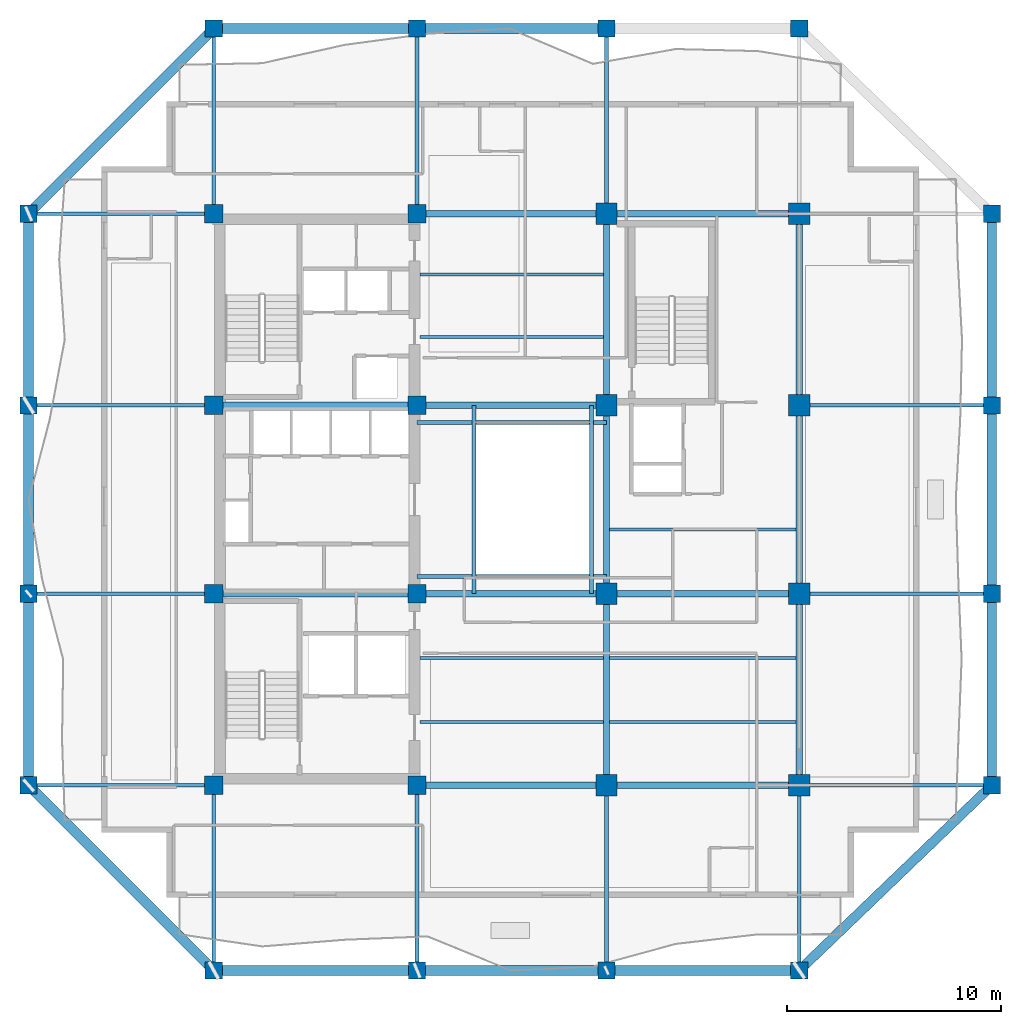
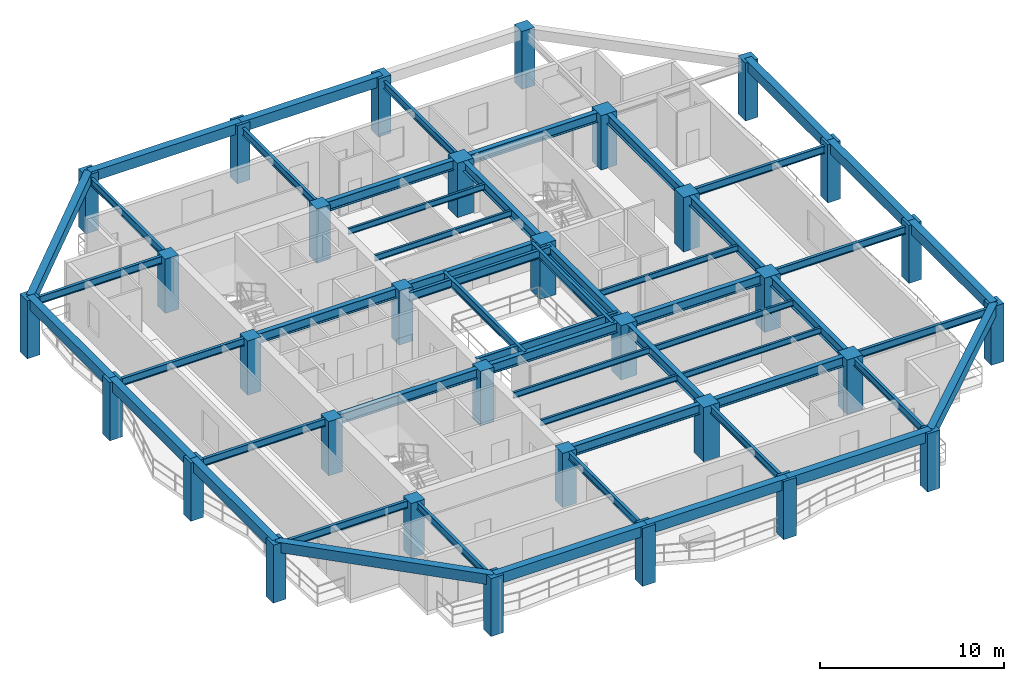
# One storey, part 1 of 10: 54 beams, 32 columns.
"""IFC4 building model written with IfcOpenShell, lengths in metres."""

from ifc_helpers import new_model, si_unit, direction, frame, origin, origin_2d, place, context, subcontext, project, spatial, rectangle, i_section, extrude, material, material_profile, profile_set, type_object, element, save


model = new_model("IFC4")

# Units and contexts
model_context = context("Model", 3, precision=1e-05, world=origin(), true_north=direction((0.0, 1.0)))
body_context = subcontext(model_context, "Body", "Model", "MODEL_VIEW")
ifc_project = project(units=[si_unit("LENGTHUNIT", "METRE"), si_unit("AREAUNIT", "SQUARE_METRE"), si_unit("VOLUMEUNIT", "CUBIC_METRE"), si_unit("PLANEANGLEUNIT", "RADIAN"), si_unit("MASSUNIT", "GRAM", prefix="KILO")], contexts=[model_context])

# Site, building, storey
site_placement = place(None, origin())
site = spatial("IfcSite", under=ifc_project, at=site_placement, CompositionType="ELEMENT")
building_placement = place(site_placement, origin())
building = spatial("IfcBuilding", under=site, at=building_placement, Name="Kundavana Baori Tower", CompositionType="ELEMENT")
storey_placement = place(building_placement, frame((0.0, 0.0, 107.85009765625)))
storey = spatial("IfcBuildingStorey", under=building, at=storey_placement, Name="L25", CompositionType="ELEMENT", Elevation=107.85009765625)

# Columns
ifc_material_1 = material(Name="Concrete C50/60", Category="concrete")
ifc_material_profile_1 = material_profile(ifc_material_1, rectangle(XDim=0.800048828125, YDim=0.800048828125, at=origin_2d()), Name="RC PF 800x800")
ifc_profile_set_1 = profile_set([ifc_material_profile_1], Name="Concrete C50/60")
column_type_1 = type_object("IfcColumnType", Name="COL-PF-800", PredefinedType="COLUMN", material=ifc_profile_set_1)
for number, where, z_axis, x_axis, name in (
    (1, (15.449951171875, 6.60009765625, 0.0), (0.0, 0.0, 1.0), (1.0, 0.0, 0.0), "L25 Stone-Clad Perimeter Frame Column PF-S1"),
    (2, (15.449951171875, 50.60009765625, 0.0), (0.0, 0.0, 1.0), (1.0, 0.0, 0.0), "L25 Stone-Clad Perimeter Frame Column PF-N1"),
    (3, (24.949951171875, 6.60009765625, 0.0), (0.0, 0.0, 1.0), (1.0, 0.0, 0.0), "L25 Stone-Clad Perimeter Frame Column PF-S2"),
    (4, (24.949951171875, 50.60009765625, 0.0), (0.0, 0.0, 1.0), (1.0, 0.0, 0.0), "L25 Stone-Clad Perimeter Frame Column PF-N2"),
    (5, (33.800048828125, 6.60009765625, 0.0), (0.0, 0.0, 1.0), (1.0, 0.0, 0.0), "L25 Stone-Clad Perimeter Frame Column PF-S3"),
    (6, (33.800048828125, 50.60009765625, 0.0), (0.0, 0.0, 1.0), (1.0, 0.0, 0.0), "L25 Stone-Clad Perimeter Frame Column PF-N3"),
    (7, (42.800048828125, 6.60009765625, 0.0), (0.0, 0.0, 1.0), (1.0, 0.0, 0.0), "L25 Stone-Clad Perimeter Frame Column PF-S4"),
    (8, (42.800048828125, 50.60009765625, 0.0), (0.0, 0.0, 1.0), (1.0, 0.0, 0.0), "L25 Stone-Clad Perimeter Frame Column PF-N4"),
    (9, (6.800048828125, 15.25, 0.0), (0.0, 0.0, 1.0), (1.0, 0.0, 0.0), "L25 Stone-Clad Perimeter Frame Column PF-W1"),
    (10, (51.800048828125, 15.25, 0.0), (0.0, 0.0, 1.0), (1.0, 0.0, 0.0), "L25 Stone-Clad Perimeter Frame Column PF-E1"),
    (11, (6.800048828125, 24.199951171875, 0.0), (0.0, 0.0, 1.0), (1.0, 0.0, 0.0), "L25 Stone-Clad Perimeter Frame Column PF-W2"),
    (12, (51.800048828125, 24.199951171875, 0.0), (0.0, 0.0, 1.0), (1.0, 0.0, 0.0), "L25 Stone-Clad Perimeter Frame Column PF-E2"),
    (13, (6.800048828125, 33.0, 0.0), (0.0, 0.0, 1.0), (1.0, 0.0, 0.0), "L25 Stone-Clad Perimeter Frame Column PF-W3"),
    (14, (51.800048828125, 33.0, 0.0), (0.0, 0.0, 1.0), (1.0, 0.0, 0.0), "L25 Stone-Clad Perimeter Frame Column PF-E3"),
    (15, (6.800048828125, 41.949951171875, 0.0), (0.0, 0.0, 1.0), (1.0, 0.0, 0.0), "L25 Stone-Clad Perimeter Frame Column PF-W4"),
    (16, (51.800048828125, 41.949951171875, 0.0), (0.0, 0.0, 1.0), (1.0, 0.0, 0.0), "L25 Stone-Clad Perimeter Frame Column PF-E4"),
):
    element("IfcColumn", number, at=place(storey_placement, frame(where, z_axis=z_axis, x_axis=x_axis)), inside=storey, type_object=column_type_1, Name=name, PredefinedType="COLUMN", context=body_context, shape_type="SweptSolid", body=[
        extrude(rectangle(XDim=0.800048828125, YDim=0.800048828125, at=origin_2d()), origin(), (0.0, 0.0, 1.0), 3.849853515625),
    ])
ifc_material_2 = material(Name="Concrete C50/60", Category="concrete")
ifc_material_profile_2 = material_profile(ifc_material_2, rectangle(XDim=1.0, YDim=1.0, at=origin_2d()), Name="RC 1000x1000")
ifc_profile_set_2 = profile_set([ifc_material_profile_2], Name="Concrete C50/60")
column_type_2 = type_object("IfcColumnType", Name="COL-RC-1000", PredefinedType="COLUMN", material=ifc_profile_set_2)
for number, where, z_axis, x_axis, name in (
    (17, (33.800048828125, 15.25, 0.0), (0.0, 0.0, 1.0), (1.0, 0.0, 0.0), "L25 Interior Column IC-5C"),
    (18, (33.800048828125, 24.199951171875, 0.0), (0.0, 0.0, 1.0), (1.0, 0.0, 0.0), "L25 Interior Column IC-5D"),
    (19, (33.800048828125, 33.0, 0.0), (0.0, 0.0, 1.0), (1.0, 0.0, 0.0), "L25 Interior Column IC-5E"),
    (20, (33.800048828125, 41.949951171875, 0.0), (0.0, 0.0, 1.0), (1.0, 0.0, 0.0), "L25 Interior Column IC-5F"),
    (21, (42.800048828125, 15.25, 0.0), (0.0, 0.0, 1.0), (1.0, 0.0, 0.0), "L25 Interior Column IC-6C"),
    (22, (42.800048828125, 24.199951171875, 0.0), (0.0, 0.0, 1.0), (1.0, 0.0, 0.0), "L25 Interior Column IC-6D"),
    (23, (42.800048828125, 33.0, 0.0), (0.0, 0.0, 1.0), (1.0, 0.0, 0.0), "L25 Interior Column IC-6E"),
    (24, (42.800048828125, 41.949951171875, 0.0), (0.0, 0.0, 1.0), (1.0, 0.0, 0.0), "L25 Interior Column IC-6F"),
):
    element("IfcColumn", number, at=place(storey_placement, frame(where, z_axis=z_axis, x_axis=x_axis)), inside=storey, type_object=column_type_2, Name=name, PredefinedType="COLUMN", context=body_context, shape_type="SweptSolid", body=[
        extrude(rectangle(XDim=1.0, YDim=1.0, at=origin_2d()), origin(), (0.0, 0.0, 1.0), 3.599853515625),
    ])
ifc_material_3 = material(Name="Concrete C50/60", Category="concrete")
ifc_material_profile_3 = material_profile(ifc_material_3, rectangle(XDim=0.85009765625, YDim=0.85009765625, at=origin_2d()), Name="RC 850x850")
ifc_profile_set_3 = profile_set([ifc_material_profile_3], Name="Concrete C50/60")
column_type_3 = type_object("IfcColumnType", Name="COL-RC-850", PredefinedType="COLUMN", material=ifc_profile_set_3)
for number, where, z_axis, x_axis, name in (
    (25, (15.449951171875, 15.25, 0.0), (0.0, 0.0, 1.0), (1.0, 0.0, 0.0), "L25 Interior Column IC-3C"),
    (26, (15.449951171875, 24.199951171875, 0.0), (0.0, 0.0, 1.0), (1.0, 0.0, 0.0), "L25 Interior Column IC-3D"),
    (27, (15.449951171875, 33.0, 0.0), (0.0, 0.0, 1.0), (1.0, 0.0, 0.0), "L25 Interior Column IC-3E"),
    (28, (15.449951171875, 41.949951171875, 0.0), (0.0, 0.0, 1.0), (1.0, 0.0, 0.0), "L25 Interior Column IC-3F"),
    (29, (24.949951171875, 15.25, 0.0), (0.0, 0.0, 1.0), (1.0, 0.0, 0.0), "L25 Interior Column IC-4C"),
    (30, (24.949951171875, 24.199951171875, 0.0), (0.0, 0.0, 1.0), (1.0, 0.0, 0.0), "L25 Interior Column IC-4D"),
    (31, (24.949951171875, 33.0, 0.0), (0.0, 0.0, 1.0), (1.0, 0.0, 0.0), "L25 Interior Column IC-4E"),
    (32, (24.949951171875, 41.949951171875, 0.0), (0.0, 0.0, 1.0), (1.0, 0.0, 0.0), "L25 Interior Column IC-4F"),
):
    element("IfcColumn", number, at=place(storey_placement, frame(where, z_axis=z_axis, x_axis=x_axis)), inside=storey, type_object=column_type_3, Name=name, PredefinedType="COLUMN", context=body_context, shape_type="SweptSolid", body=[
        extrude(rectangle(XDim=0.85009765625, YDim=0.85009765625, at=origin_2d()), origin(), (0.0, 0.0, 1.0), 3.599853515625),
    ])

# Beams
ifc_material_4 = material(Name="Structural Steel S355JR", Category="steel")
ifc_material_profile_4 = material_profile(ifc_material_4, i_section(OverallWidth=0.139892578125, OverallDepth=0.39990234375, WebThickness=0.0087890625, FlangeThickness=0.01611328125, FilletRadius=0.013916015625, at=origin_2d()), Name="ISMB 400")
ifc_profile_set_4 = profile_set([ifc_material_profile_4], Name="Structural Steel S355JR")
beam_type_1 = type_object("IfcBeamType", Name="BM-JST-400", PredefinedType="JOIST", material=ifc_profile_set_4)
for number, where, z_axis, x_axis, name in (
    (33, (25.080078125, 18.199951171875, 3.39990234375), (1.0, 0.0, 0.0), (0.0, 1.0, 0.0), "L25 Central Bay Composite Floor Joist C1"),
    (34, (25.080078125, 21.199951171875, 3.39990234375), (1.0, 0.0, 0.0), (0.0, 1.0, 0.0), "L25 Central Bay Composite Floor Joist C2"),
    (35, (25.080078125, 36.199951171875, 3.39990234375), (1.0, 0.0, 0.0), (0.0, 1.0, 0.0), "L25 Central Bay Composite Floor Joist C3"),
    (36, (25.080078125, 39.10009765625, 3.39990234375), (1.0, 0.0, 0.0), (0.0, 1.0, 0.0), "L25 Central Bay Composite Floor Joist C4"),
):
    element("IfcBeam", number, at=place(storey_placement, frame(where, z_axis=z_axis, x_axis=x_axis)), inside=storey, type_object=beam_type_1, Name=name, PredefinedType="JOIST", context=body_context, shape_type="SweptSolid", body=[
        extrude(i_section(OverallWidth=0.139892578125, OverallDepth=0.39990234375, WebThickness=0.0087890625, FlangeThickness=0.01611328125, FilletRadius=0.013916015625, at=origin_2d()), origin(), (0.0, 0.0, 1.0), 8.56982421875),
    ])
for number, where, z_axis, x_axis, name in (
    (37, (33.949951171875, 18.199951171875, 3.39990234375), (1.0, 0.0, 0.0), (0.0, 1.0, 0.0), "L25 East Bay Composite Floor Joist E1"),
    (38, (33.949951171875, 21.199951171875, 3.39990234375), (1.0, 0.0, 0.0), (0.0, 1.0, 0.0), "L25 East Bay Composite Floor Joist E2"),
    (39, (33.949951171875, 27.199951171875, 3.39990234375), (1.0, 0.0, 0.0), (0.0, 1.0, 0.0), "L25 East Bay Composite Floor Joist E3"),
):
    element("IfcBeam", number, at=place(storey_placement, frame(where, z_axis=z_axis, x_axis=x_axis)), inside=storey, type_object=beam_type_1, Name=name, PredefinedType="JOIST", context=body_context, shape_type="SweptSolid", body=[
        extrude(i_section(OverallWidth=0.139892578125, OverallDepth=0.39990234375, WebThickness=0.0087890625, FlangeThickness=0.01611328125, FilletRadius=0.013916015625, at=origin_2d()), origin(), (0.0, 0.0, 1.0), 8.699951171875),
    ])
ifc_material_5 = material(Name="Concrete C50/60", Category="concrete")
ifc_material_profile_5 = material_profile(ifc_material_5, rectangle(XDim=0.449951171875, YDim=0.679931640625, at=origin_2d()), Name="RC BM 450x680")
ifc_profile_set_5 = profile_set([ifc_material_profile_5], Name="Concrete C50/60")
beam_type_2 = type_object("IfcBeamType", Name="BM-PF-680", PredefinedType="SPANDREL", material=ifc_profile_set_5)
beam_1_placement = place(storey_placement, frame((15.449951171875, 6.60009765625, 3.510009765625), z_axis=(1.0, 0.0, 0.0), x_axis=(0.0, 1.0, 0.0)))
element("IfcBeam", 40, at=beam_1_placement, inside=storey, type_object=beam_type_2, Name="L25 Perimeter Frame Ring Beam S1", PredefinedType="SPANDREL", context=body_context, shape_type="SweptSolid", body=[
    extrude(rectangle(XDim=0.449951171875, YDim=0.679931640625, at=origin_2d()), origin(), (0.0, 0.0, 1.0), 9.5),
])
beam_2_placement = place(storey_placement, frame((24.949951171875, 6.60009765625, 3.510009765625), z_axis=(1.0, 0.0, 0.0), x_axis=(0.0, 1.0, 0.0)))
element("IfcBeam", 41, at=beam_2_placement, inside=storey, type_object=beam_type_2, Name="L25 Perimeter Frame Ring Beam S2", PredefinedType="SPANDREL", context=body_context, shape_type="SweptSolid", body=[
    extrude(rectangle(XDim=0.449951171875, YDim=0.679931640625, at=origin_2d()), origin(), (0.0, 0.0, 1.0), 8.85009765625),
])
beam_3_placement = place(storey_placement, frame((33.800048828125, 6.60009765625, 3.510009765625), z_axis=(1.0, 0.0, 0.0), x_axis=(0.0, 1.0, 0.0)))
element("IfcBeam", 42, at=beam_3_placement, inside=storey, type_object=beam_type_2, Name="L25 Perimeter Frame Ring Beam S3", PredefinedType="SPANDREL", context=body_context, shape_type="SweptSolid", body=[
    extrude(rectangle(XDim=0.449951171875, YDim=0.679931640625, at=origin_2d()), origin(), (0.0, 0.0, 1.0), 9.0),
])
beam_4_placement = place(storey_placement, frame((15.449951171875, 50.60009765625, 3.510009765625), z_axis=(1.0, 0.0, 0.0), x_axis=(0.0, 1.0, 0.0)))
element("IfcBeam", 43, at=beam_4_placement, inside=storey, type_object=beam_type_2, Name="L25 Perimeter Frame Ring Beam N1", PredefinedType="SPANDREL", context=body_context, shape_type="SweptSolid", body=[
    extrude(rectangle(XDim=0.449951171875, YDim=0.679931640625, at=origin_2d()), origin(), (0.0, 0.0, 1.0), 9.5),
])
beam_5_placement = place(storey_placement, frame((24.949951171875, 50.60009765625, 3.510009765625), z_axis=(1.0, 0.0, 0.0), x_axis=(0.0, 1.0, 0.0)))
element("IfcBeam", 44, at=beam_5_placement, inside=storey, type_object=beam_type_2, Name="L25 Perimeter Frame Ring Beam N2", PredefinedType="SPANDREL", context=body_context, shape_type="SweptSolid", body=[
    extrude(rectangle(XDim=0.449951171875, YDim=0.679931640625, at=origin_2d()), origin(), (0.0, 0.0, 1.0), 8.85009765625),
])
beam_6_placement = place(storey_placement, frame((6.800048828125, 15.25, 3.510009765625), z_axis=(0.0, 1.0, 0.0), x_axis=(-1.0, 0.0, 0.0)))
element("IfcBeam", 45, at=beam_6_placement, inside=storey, type_object=beam_type_2, Name="L25 Perimeter Frame Ring Beam W1", PredefinedType="SPANDREL", context=body_context, shape_type="SweptSolid", body=[
    extrude(rectangle(XDim=0.449951171875, YDim=0.679931640625, at=origin_2d()), origin(), (0.0, 0.0, 1.0), 8.949951171875),
])
beam_7_placement = place(storey_placement, frame((6.800048828125, 24.199951171875, 3.510009765625), z_axis=(0.0, 1.0, 0.0), x_axis=(-1.0, 0.0, 0.0)))
element("IfcBeam", 46, at=beam_7_placement, inside=storey, type_object=beam_type_2, Name="L25 Perimeter Frame Ring Beam W2", PredefinedType="SPANDREL", context=body_context, shape_type="SweptSolid", body=[
    extrude(rectangle(XDim=0.449951171875, YDim=0.679931640625, at=origin_2d()), origin(), (0.0, 0.0, 1.0), 8.800048828125),
])
for number, where, z_axis, x_axis, name in (
    (47, (6.800048828125, 33.0, 3.510009765625), (0.0, 1.0, 0.0), (-1.0, 0.0, 0.0), "L25 Perimeter Frame Ring Beam W3"),
    (48, (51.800048828125, 15.25, 3.510009765625), (0.0, 1.0, 0.0), (-1.0, 0.0, 0.0), "L25 Perimeter Frame Ring Beam E1"),
):
    element("IfcBeam", number, at=place(storey_placement, frame(where, z_axis=z_axis, x_axis=x_axis)), inside=storey, type_object=beam_type_2, Name=name, PredefinedType="SPANDREL", context=body_context, shape_type="SweptSolid", body=[
        extrude(rectangle(XDim=0.449951171875, YDim=0.679931640625, at=origin_2d()), origin(), (0.0, 0.0, 1.0), 8.949951171875),
    ])
beam_8_placement = place(storey_placement, frame((51.800048828125, 24.199951171875, 3.510009765625), z_axis=(0.0, 1.0, 0.0), x_axis=(-1.0, 0.0, 0.0)))
element("IfcBeam", 49, at=beam_8_placement, inside=storey, type_object=beam_type_2, Name="L25 Perimeter Frame Ring Beam E2", PredefinedType="SPANDREL", context=body_context, shape_type="SweptSolid", body=[
    extrude(rectangle(XDim=0.449951171875, YDim=0.679931640625, at=origin_2d()), origin(), (0.0, 0.0, 1.0), 8.800048828125),
])
beam_9_placement = place(storey_placement, frame((51.800048828125, 33.0, 3.510009765625), z_axis=(0.0, 1.0, 0.0), x_axis=(-1.0, 0.0, 0.0)))
element("IfcBeam", 50, at=beam_9_placement, inside=storey, type_object=beam_type_2, Name="L25 Perimeter Frame Ring Beam E3", PredefinedType="SPANDREL", context=body_context, shape_type="SweptSolid", body=[
    extrude(rectangle(XDim=0.449951171875, YDim=0.679931640625, at=origin_2d()), origin(), (0.0, 0.0, 1.0), 8.949951171875),
])
beam_10_placement = place(storey_placement, frame((15.449951171875, 6.60009765625, 3.510009765625), z_axis=(-0.707106781187, 0.707106781187, 0.0), x_axis=(-0.707106781187, -0.707106781187, 0.0)))
element("IfcBeam", 51, at=beam_10_placement, inside=storey, type_object=beam_type_2, Name="L25 Notched Corner Perimeter Beam SW", PredefinedType="SPANDREL", context=body_context, shape_type="SweptSolid", body=[
    extrude(rectangle(XDim=0.449951171875, YDim=0.679931640625, at=origin_2d()), origin(), (0.0, 0.0, 1.0), 12.23291015625),
])
beam_11_placement = place(storey_placement, frame((42.800048828125, 6.60009765625, 3.510009765625), z_axis=(0.720990894297, 0.692944536266, 0.0), x_axis=(-0.692944536266, 0.720990894297, 0.0)))
element("IfcBeam", 52, at=beam_11_placement, inside=storey, type_object=beam_type_2, Name="L25 Notched Corner Perimeter Beam SE", PredefinedType="SPANDREL", context=body_context, shape_type="SweptSolid", body=[
    extrude(rectangle(XDim=0.449951171875, YDim=0.679931640625, at=origin_2d()), origin(), (0.0, 0.0, 1.0), 12.48291015625),
])
beam_12_placement = place(storey_placement, frame((15.449951171875, 50.60009765625, 3.510009765625), z_axis=(-0.70709680233, -0.707116759903, 0.0), x_axis=(0.707116759903, -0.70709680233, 0.0)))
element("IfcBeam", 53, at=beam_12_placement, inside=storey, type_object=beam_type_2, Name="L25 Notched Corner Perimeter Beam NW", PredefinedType="SPANDREL", context=body_context, shape_type="SweptSolid", body=[
    extrude(rectangle(XDim=0.449951171875, YDim=0.679931640625, at=origin_2d()), origin(), (0.0, 0.0, 1.0), 12.23291015625),
])
ifc_material_6 = material(Name="Structural Steel S355JR", Category="steel")
ifc_material_profile_6 = material_profile(ifc_material_6, i_section(OverallWidth=0.18994140625, OverallDepth=0.550048828125, WebThickness=0.01123046875, FlangeThickness=0.019287109375, FilletRadius=0.01806640625, at=origin_2d()), Name="ISMB 550")
ifc_profile_set_6 = profile_set([ifc_material_profile_6], Name="Structural Steel S355JR")
beam_type_3 = type_object("IfcBeamType", Name="BM-ST-550", PredefinedType="BEAM", material=ifc_profile_set_6)
for number, where, z_axis, x_axis, name in (
    (54, (27.60009765625, 24.199951171875, 3.324951171875), (0.0, 1.0, 0.0), (-1.0, 0.0, 0.0), "L25 Atrium West Edge Beam"),
    (55, (33.10009765625, 24.199951171875, 3.324951171875), (0.0, 1.0, 0.0), (-1.0, 0.0, 0.0), "L25 Atrium East Edge Beam"),
):
    element("IfcBeam", number, at=place(storey_placement, frame(where, z_axis=z_axis, x_axis=x_axis)), inside=storey, type_object=beam_type_3, Name=name, PredefinedType="BEAM", context=body_context, shape_type="SweptSolid", body=[
        extrude(i_section(OverallWidth=0.18994140625, OverallDepth=0.550048828125, WebThickness=0.01123046875, FlangeThickness=0.019287109375, FilletRadius=0.01806640625, at=origin_2d()), origin(), (0.0, 0.0, 1.0), 8.800048828125),
    ])
for number, where, z_axis, x_axis, name in (
    (56, (24.949951171875, 25.0, 3.324951171875), (1.0, 0.0, 0.0), (0.0, 1.0, 0.0), "L25 Atrium South Edge Beam"),
    (57, (24.949951171875, 32.199951171875, 3.324951171875), (1.0, 0.0, 0.0), (0.0, 1.0, 0.0), "L25 Atrium North Edge Beam"),
):
    element("IfcBeam", number, at=place(storey_placement, frame(where, z_axis=z_axis, x_axis=x_axis)), inside=storey, type_object=beam_type_3, Name=name, PredefinedType="BEAM", context=body_context, shape_type="SweptSolid", body=[
        extrude(i_section(OverallWidth=0.18994140625, OverallDepth=0.550048828125, WebThickness=0.01123046875, FlangeThickness=0.019287109375, FilletRadius=0.01806640625, at=origin_2d()), origin(), (0.0, 0.0, 1.0), 8.85009765625),
    ])
ifc_material_7 = material(Name="Structural Steel S355JR", Category="steel")
ifc_material_profile_7 = material_profile(ifc_material_7, i_section(OverallWidth=0.300048828125, OverallDepth=0.64990234375, WebThickness=0.013427734375, FlangeThickness=0.02197265625, FilletRadius=0.02392578125, at=origin_2d()), Name="NPB 650x300x155")
ifc_profile_set_7 = profile_set([ifc_material_profile_7], Name="Structural Steel S355JR")
beam_type_4 = type_object("IfcBeamType", Name="BM-ST-650", PredefinedType="BEAM", material=ifc_profile_set_7)
beam_13_placement = place(storey_placement, frame((24.949951171875, 15.25, 3.27490234375), z_axis=(1.0, 0.0, 0.0), x_axis=(0.0, 1.0, 0.0)))
element("IfcBeam", 58, at=beam_13_placement, inside=storey, type_object=beam_type_4, Name="L25 Primary Grid Girder GX-1-2", PredefinedType="BEAM", context=body_context, shape_type="SweptSolid", body=[
    extrude(i_section(OverallWidth=0.300048828125, OverallDepth=0.64990234375, WebThickness=0.013427734375, FlangeThickness=0.02197265625, FilletRadius=0.02392578125, at=origin_2d()), origin(), (0.0, 0.0, 1.0), 8.85009765625),
])
beam_14_placement = place(storey_placement, frame((33.800048828125, 15.25, 3.27490234375), z_axis=(1.0, 0.0, 0.0), x_axis=(0.0, 1.0, 0.0)))
element("IfcBeam", 59, at=beam_14_placement, inside=storey, type_object=beam_type_4, Name="L25 Primary Grid Girder GX-1-3", PredefinedType="BEAM", context=body_context, shape_type="SweptSolid", body=[
    extrude(i_section(OverallWidth=0.300048828125, OverallDepth=0.64990234375, WebThickness=0.013427734375, FlangeThickness=0.02197265625, FilletRadius=0.02392578125, at=origin_2d()), origin(), (0.0, 0.0, 1.0), 9.0),
])
beam_15_placement = place(storey_placement, frame((15.449951171875, 24.199951171875, 3.27490234375), z_axis=(1.0, 0.0, 0.0), x_axis=(0.0, 1.0, 0.0)))
element("IfcBeam", 60, at=beam_15_placement, inside=storey, type_object=beam_type_4, Name="L25 Primary Grid Girder GX-2-1", PredefinedType="BEAM", context=body_context, shape_type="SweptSolid", body=[
    extrude(i_section(OverallWidth=0.300048828125, OverallDepth=0.64990234375, WebThickness=0.013427734375, FlangeThickness=0.02197265625, FilletRadius=0.02392578125, at=origin_2d()), origin(), (0.0, 0.0, 1.0), 9.5),
])
beam_16_placement = place(storey_placement, frame((24.949951171875, 24.199951171875, 3.27490234375), z_axis=(1.0, 0.0, 0.0), x_axis=(0.0, 1.0, 0.0)))
element("IfcBeam", 61, at=beam_16_placement, inside=storey, type_object=beam_type_4, Name="L25 Primary Grid Girder GX-2-2", PredefinedType="BEAM", context=body_context, shape_type="SweptSolid", body=[
    extrude(i_section(OverallWidth=0.300048828125, OverallDepth=0.64990234375, WebThickness=0.013427734375, FlangeThickness=0.02197265625, FilletRadius=0.02392578125, at=origin_2d()), origin(), (0.0, 0.0, 1.0), 8.85009765625),
])
beam_17_placement = place(storey_placement, frame((33.800048828125, 24.199951171875, 3.27490234375), z_axis=(1.0, 0.0, 0.0), x_axis=(0.0, 1.0, 0.0)))
element("IfcBeam", 62, at=beam_17_placement, inside=storey, type_object=beam_type_4, Name="L25 Primary Grid Girder GX-2-3", PredefinedType="BEAM", context=body_context, shape_type="SweptSolid", body=[
    extrude(i_section(OverallWidth=0.300048828125, OverallDepth=0.64990234375, WebThickness=0.013427734375, FlangeThickness=0.02197265625, FilletRadius=0.02392578125, at=origin_2d()), origin(), (0.0, 0.0, 1.0), 9.0),
])
beam_18_placement = place(storey_placement, frame((15.449951171875, 33.0, 3.27490234375), z_axis=(1.0, 0.0, 0.0), x_axis=(0.0, 1.0, 0.0)))
element("IfcBeam", 63, at=beam_18_placement, inside=storey, type_object=beam_type_4, Name="L25 Primary Grid Girder GX-3-1", PredefinedType="BEAM", context=body_context, shape_type="SweptSolid", body=[
    extrude(i_section(OverallWidth=0.300048828125, OverallDepth=0.64990234375, WebThickness=0.013427734375, FlangeThickness=0.02197265625, FilletRadius=0.02392578125, at=origin_2d()), origin(), (0.0, 0.0, 1.0), 9.5),
])
for number, where, z_axis, x_axis, name in (
    (64, (24.949951171875, 33.0, 3.27490234375), (1.0, 0.0, 0.0), (0.0, 1.0, 0.0), "L25 Primary Grid Girder GX-3-2"),
    (65, (24.949951171875, 41.949951171875, 3.27490234375), (1.0, 0.0, 0.0), (0.0, 1.0, 0.0), "L25 Primary Grid Girder GX-4-2"),
):
    element("IfcBeam", number, at=place(storey_placement, frame(where, z_axis=z_axis, x_axis=x_axis)), inside=storey, type_object=beam_type_4, Name=name, PredefinedType="BEAM", context=body_context, shape_type="SweptSolid", body=[
        extrude(i_section(OverallWidth=0.300048828125, OverallDepth=0.64990234375, WebThickness=0.013427734375, FlangeThickness=0.02197265625, FilletRadius=0.02392578125, at=origin_2d()), origin(), (0.0, 0.0, 1.0), 8.85009765625),
    ])
beam_19_placement = place(storey_placement, frame((33.800048828125, 41.949951171875, 3.27490234375), z_axis=(1.0, 0.0, 0.0), x_axis=(0.0, 1.0, 0.0)))
element("IfcBeam", 66, at=beam_19_placement, inside=storey, type_object=beam_type_4, Name="L25 Primary Grid Girder GX-4-3", PredefinedType="BEAM", context=body_context, shape_type="SweptSolid", body=[
    extrude(i_section(OverallWidth=0.300048828125, OverallDepth=0.64990234375, WebThickness=0.013427734375, FlangeThickness=0.02197265625, FilletRadius=0.02392578125, at=origin_2d()), origin(), (0.0, 0.0, 1.0), 9.0),
])
beam_20_placement = place(storey_placement, frame((33.800048828125, 15.25, 3.27490234375), z_axis=(0.0, 1.0, 0.0), x_axis=(-1.0, 0.0, 0.0)))
element("IfcBeam", 67, at=beam_20_placement, inside=storey, type_object=beam_type_4, Name="L25 Primary Grid Girder GY-3-1", PredefinedType="BEAM", context=body_context, shape_type="SweptSolid", body=[
    extrude(i_section(OverallWidth=0.300048828125, OverallDepth=0.64990234375, WebThickness=0.013427734375, FlangeThickness=0.02197265625, FilletRadius=0.02392578125, at=origin_2d()), origin(), (0.0, 0.0, 1.0), 8.949951171875),
])
beam_21_placement = place(storey_placement, frame((33.800048828125, 24.199951171875, 3.27490234375), z_axis=(0.0, 1.0, 0.0), x_axis=(-1.0, 0.0, 0.0)))
element("IfcBeam", 68, at=beam_21_placement, inside=storey, type_object=beam_type_4, Name="L25 Primary Grid Girder GY-3-2", PredefinedType="BEAM", context=body_context, shape_type="SweptSolid", body=[
    extrude(i_section(OverallWidth=0.300048828125, OverallDepth=0.64990234375, WebThickness=0.013427734375, FlangeThickness=0.02197265625, FilletRadius=0.02392578125, at=origin_2d()), origin(), (0.0, 0.0, 1.0), 8.800048828125),
])
for number, where, z_axis, x_axis, name in (
    (69, (33.800048828125, 33.0, 3.27490234375), (0.0, 1.0, 0.0), (-1.0, 0.0, 0.0), "L25 Primary Grid Girder GY-3-3"),
    (70, (42.800048828125, 15.25, 3.27490234375), (0.0, 1.0, 0.0), (-1.0, 0.0, 0.0), "L25 Primary Grid Girder GY-4-1"),
):
    element("IfcBeam", number, at=place(storey_placement, frame(where, z_axis=z_axis, x_axis=x_axis)), inside=storey, type_object=beam_type_4, Name=name, PredefinedType="BEAM", context=body_context, shape_type="SweptSolid", body=[
        extrude(i_section(OverallWidth=0.300048828125, OverallDepth=0.64990234375, WebThickness=0.013427734375, FlangeThickness=0.02197265625, FilletRadius=0.02392578125, at=origin_2d()), origin(), (0.0, 0.0, 1.0), 8.949951171875),
    ])
beam_22_placement = place(storey_placement, frame((42.800048828125, 24.199951171875, 3.27490234375), z_axis=(0.0, 1.0, 0.0), x_axis=(-1.0, 0.0, 0.0)))
element("IfcBeam", 71, at=beam_22_placement, inside=storey, type_object=beam_type_4, Name="L25 Primary Grid Girder GY-4-2", PredefinedType="BEAM", context=body_context, shape_type="SweptSolid", body=[
    extrude(i_section(OverallWidth=0.300048828125, OverallDepth=0.64990234375, WebThickness=0.013427734375, FlangeThickness=0.02197265625, FilletRadius=0.02392578125, at=origin_2d()), origin(), (0.0, 0.0, 1.0), 8.800048828125),
])
beam_23_placement = place(storey_placement, frame((42.800048828125, 33.0, 3.27490234375), z_axis=(0.0, 1.0, 0.0), x_axis=(-1.0, 0.0, 0.0)))
element("IfcBeam", 72, at=beam_23_placement, inside=storey, type_object=beam_type_4, Name="L25 Primary Grid Girder GY-4-3", PredefinedType="BEAM", context=body_context, shape_type="SweptSolid", body=[
    extrude(i_section(OverallWidth=0.300048828125, OverallDepth=0.64990234375, WebThickness=0.013427734375, FlangeThickness=0.02197265625, FilletRadius=0.02392578125, at=origin_2d()), origin(), (0.0, 0.0, 1.0), 8.949951171875),
])
ifc_material_8 = material(Name="Structural Steel S355JR", Category="steel")
ifc_material_profile_8 = material_profile(ifc_material_8, i_section(OverallWidth=0.179931640625, OverallDepth=0.5, WebThickness=0.01025390625, FlangeThickness=0.01708984375, FilletRadius=0.01708984375, at=origin_2d()), Name="ISMB 500")
ifc_profile_set_8 = profile_set([ifc_material_profile_8], Name="Structural Steel S355JR")
beam_type_5 = type_object("IfcBeamType", Name="BM-TIE-500", PredefinedType="BEAM", material=ifc_profile_set_8)
beam_24_placement = place(storey_placement, frame((15.449951171875, 15.25, 3.349853515625), z_axis=(0.0, -1.0, 0.0), x_axis=(1.0, 0.0, 0.0)))
element("IfcBeam", 73, at=beam_24_placement, inside=storey, type_object=beam_type_5, Name="L25 South Radial Loggia Tie Beam S1", PredefinedType="BEAM", context=body_context, shape_type="SweptSolid", body=[
    extrude(i_section(OverallWidth=0.179931640625, OverallDepth=0.5, WebThickness=0.01025390625, FlangeThickness=0.01708984375, FilletRadius=0.01708984375, at=origin_2d()), origin(), (0.0, 0.0, 1.0), 8.64990234375),
])
beam_25_placement = place(storey_placement, frame((15.449951171875, 41.949951171875, 3.349853515625), z_axis=(0.0, 1.0, 0.0), x_axis=(-1.0, 0.0, 0.0)))
element("IfcBeam", 74, at=beam_25_placement, inside=storey, type_object=beam_type_5, Name="L25 North Radial Loggia Tie Beam N1", PredefinedType="BEAM", context=body_context, shape_type="SweptSolid", body=[
    extrude(i_section(OverallWidth=0.179931640625, OverallDepth=0.5, WebThickness=0.01025390625, FlangeThickness=0.01708984375, FilletRadius=0.01708984375, at=origin_2d()), origin(), (0.0, 0.0, 1.0), 8.650146484375),
])
beam_26_placement = place(storey_placement, frame((24.949951171875, 15.25, 3.349853515625), z_axis=(0.0, -1.0, 0.0), x_axis=(1.0, 0.0, 0.0)))
element("IfcBeam", 75, at=beam_26_placement, inside=storey, type_object=beam_type_5, Name="L25 South Radial Loggia Tie Beam S2", PredefinedType="BEAM", context=body_context, shape_type="SweptSolid", body=[
    extrude(i_section(OverallWidth=0.179931640625, OverallDepth=0.5, WebThickness=0.01025390625, FlangeThickness=0.01708984375, FilletRadius=0.01708984375, at=origin_2d()), origin(), (0.0, 0.0, 1.0), 8.64990234375),
])
beam_27_placement = place(storey_placement, frame((24.949951171875, 41.949951171875, 3.349853515625), z_axis=(0.0, 1.0, 0.0), x_axis=(-1.0, 0.0, 0.0)))
element("IfcBeam", 76, at=beam_27_placement, inside=storey, type_object=beam_type_5, Name="L25 North Radial Loggia Tie Beam N2", PredefinedType="BEAM", context=body_context, shape_type="SweptSolid", body=[
    extrude(i_section(OverallWidth=0.179931640625, OverallDepth=0.5, WebThickness=0.01025390625, FlangeThickness=0.01708984375, FilletRadius=0.01708984375, at=origin_2d()), origin(), (0.0, 0.0, 1.0), 8.650146484375),
])
beam_28_placement = place(storey_placement, frame((33.800048828125, 15.25, 3.349853515625), z_axis=(0.0, -1.0, 0.0), x_axis=(1.0, 0.0, 0.0)))
element("IfcBeam", 77, at=beam_28_placement, inside=storey, type_object=beam_type_5, Name="L25 South Radial Loggia Tie Beam S3", PredefinedType="BEAM", context=body_context, shape_type="SweptSolid", body=[
    extrude(i_section(OverallWidth=0.179931640625, OverallDepth=0.5, WebThickness=0.01025390625, FlangeThickness=0.01708984375, FilletRadius=0.01708984375, at=origin_2d()), origin(), (0.0, 0.0, 1.0), 8.64990234375),
])
beam_29_placement = place(storey_placement, frame((33.800048828125, 41.949951171875, 3.349853515625), z_axis=(0.0, 1.0, 0.0), x_axis=(-1.0, 0.0, 0.0)))
element("IfcBeam", 78, at=beam_29_placement, inside=storey, type_object=beam_type_5, Name="L25 North Radial Loggia Tie Beam N3", PredefinedType="BEAM", context=body_context, shape_type="SweptSolid", body=[
    extrude(i_section(OverallWidth=0.179931640625, OverallDepth=0.5, WebThickness=0.01025390625, FlangeThickness=0.01708984375, FilletRadius=0.01708984375, at=origin_2d()), origin(), (0.0, 0.0, 1.0), 8.650146484375),
])
for number, where, z_axis, x_axis, name in (
    (79, (42.800048828125, 15.25, 3.349853515625), (0.0, -1.0, 0.0), (1.0, 0.0, 0.0), "L25 South Radial Loggia Tie Beam S4"),
    (80, (15.449951171875, 15.25, 3.349853515625), (-1.0, 0.0, 0.0), (0.0, -1.0, 0.0), "L25 West Radial Loggia Tie Beam W1"),
):
    element("IfcBeam", number, at=place(storey_placement, frame(where, z_axis=z_axis, x_axis=x_axis)), inside=storey, type_object=beam_type_5, Name=name, PredefinedType="BEAM", context=body_context, shape_type="SweptSolid", body=[
        extrude(i_section(OverallWidth=0.179931640625, OverallDepth=0.5, WebThickness=0.01025390625, FlangeThickness=0.01708984375, FilletRadius=0.01708984375, at=origin_2d()), origin(), (0.0, 0.0, 1.0), 8.64990234375),
    ])
beam_30_placement = place(storey_placement, frame((42.800048828125, 15.25, 3.349853515625), z_axis=(1.0, 0.0, 0.0), x_axis=(0.0, 1.0, 0.0)))
element("IfcBeam", 81, at=beam_30_placement, inside=storey, type_object=beam_type_5, Name="L25 East Radial Loggia Tie Beam E1", PredefinedType="BEAM", context=body_context, shape_type="SweptSolid", body=[
    extrude(i_section(OverallWidth=0.179931640625, OverallDepth=0.5, WebThickness=0.01025390625, FlangeThickness=0.01708984375, FilletRadius=0.01708984375, at=origin_2d()), origin(), (0.0, 0.0, 1.0), 9.0),
])
beam_31_placement = place(storey_placement, frame((15.449951171875, 24.199951171875, 3.349853515625), z_axis=(-1.0, 0.0, 0.0), x_axis=(0.0, -1.0, 0.0)))
element("IfcBeam", 82, at=beam_31_placement, inside=storey, type_object=beam_type_5, Name="L25 West Radial Loggia Tie Beam W2", PredefinedType="BEAM", context=body_context, shape_type="SweptSolid", body=[
    extrude(i_section(OverallWidth=0.179931640625, OverallDepth=0.5, WebThickness=0.01025390625, FlangeThickness=0.01708984375, FilletRadius=0.01708984375, at=origin_2d()), origin(), (0.0, 0.0, 1.0), 8.64990234375),
])
beam_32_placement = place(storey_placement, frame((42.800048828125, 24.199951171875, 3.349853515625), z_axis=(1.0, 0.0, 0.0), x_axis=(0.0, 1.0, 0.0)))
element("IfcBeam", 83, at=beam_32_placement, inside=storey, type_object=beam_type_5, Name="L25 East Radial Loggia Tie Beam E2", PredefinedType="BEAM", context=body_context, shape_type="SweptSolid", body=[
    extrude(i_section(OverallWidth=0.179931640625, OverallDepth=0.5, WebThickness=0.01025390625, FlangeThickness=0.01708984375, FilletRadius=0.01708984375, at=origin_2d()), origin(), (0.0, 0.0, 1.0), 9.0),
])
beam_33_placement = place(storey_placement, frame((15.449951171875, 33.0, 3.349853515625), z_axis=(-1.0, 0.0, 0.0), x_axis=(0.0, -1.0, 0.0)))
element("IfcBeam", 84, at=beam_33_placement, inside=storey, type_object=beam_type_5, Name="L25 West Radial Loggia Tie Beam W3", PredefinedType="BEAM", context=body_context, shape_type="SweptSolid", body=[
    extrude(i_section(OverallWidth=0.179931640625, OverallDepth=0.5, WebThickness=0.01025390625, FlangeThickness=0.01708984375, FilletRadius=0.01708984375, at=origin_2d()), origin(), (0.0, 0.0, 1.0), 8.64990234375),
])
beam_34_placement = place(storey_placement, frame((42.800048828125, 33.0, 3.349853515625), z_axis=(1.0, 0.0, 0.0), x_axis=(0.0, 1.0, 0.0)))
element("IfcBeam", 85, at=beam_34_placement, inside=storey, type_object=beam_type_5, Name="L25 East Radial Loggia Tie Beam E3", PredefinedType="BEAM", context=body_context, shape_type="SweptSolid", body=[
    extrude(i_section(OverallWidth=0.179931640625, OverallDepth=0.5, WebThickness=0.01025390625, FlangeThickness=0.01708984375, FilletRadius=0.01708984375, at=origin_2d()), origin(), (0.0, 0.0, 1.0), 9.0),
])
beam_35_placement = place(storey_placement, frame((15.449951171875, 41.949951171875, 3.349853515625), z_axis=(-1.0, 0.0, 0.0), x_axis=(0.0, -1.0, 0.0)))
element("IfcBeam", 86, at=beam_35_placement, inside=storey, type_object=beam_type_5, Name="L25 West Radial Loggia Tie Beam W4", PredefinedType="BEAM", context=body_context, shape_type="SweptSolid", body=[
    extrude(i_section(OverallWidth=0.179931640625, OverallDepth=0.5, WebThickness=0.01025390625, FlangeThickness=0.01708984375, FilletRadius=0.01708984375, at=origin_2d()), origin(), (0.0, 0.0, 1.0), 8.64990234375),
])

save(model, "model.ifc")
